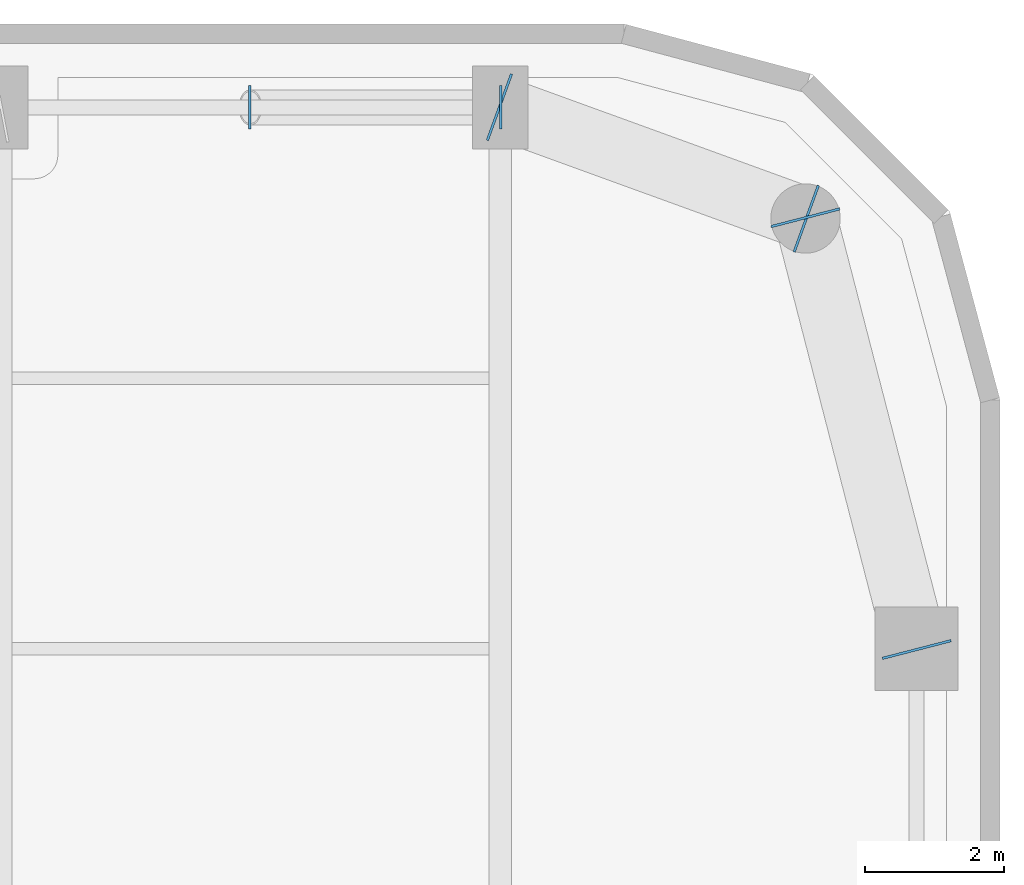
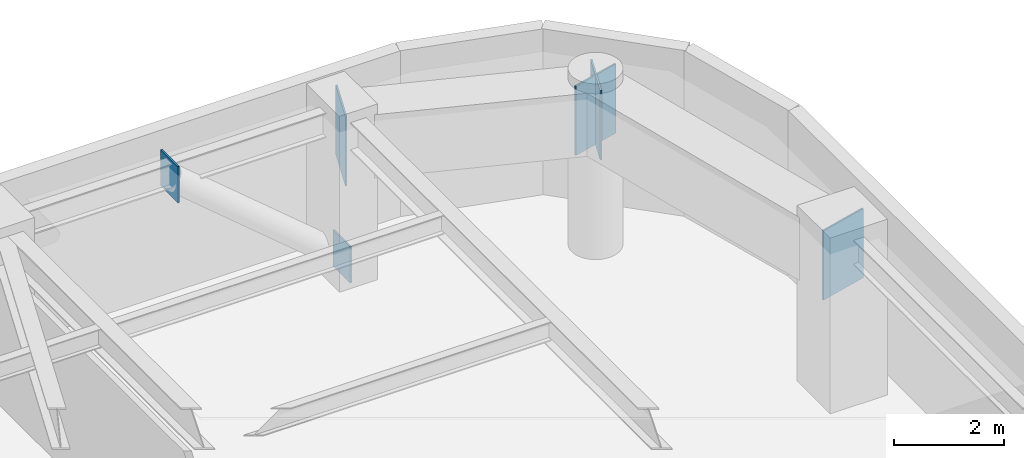
# One storey, part 23 of 30: 6 plates.
"""IFC4 building model written with IfcOpenShell, lengths in metres."""

from ifc_helpers import new_model, si_unit, direction, frame, origin, origin_2d, place, context, subcontext, project, spatial, rectangle, extrude, material, layer, layer_set, type_object, element, save


model = new_model("IFC4")

# Units and contexts
model_context = context("Model", 3, precision=1e-05, world=origin(), true_north=direction((0.0, 1.0)))
body_context = subcontext(model_context, "Body", "Model", "MODEL_VIEW")
ifc_project = project(units=[si_unit("LENGTHUNIT", "METRE"), si_unit("AREAUNIT", "SQUARE_METRE"), si_unit("VOLUMEUNIT", "CUBIC_METRE"), si_unit("PLANEANGLEUNIT", "RADIAN"), si_unit("MASSUNIT", "GRAM", prefix="KILO")], contexts=[model_context])

# Site, building, storey
site_placement = place(None, origin())
site = spatial("IfcSite", under=ifc_project, at=site_placement, CompositionType="ELEMENT")
building_placement = place(site_placement, origin())
building = spatial("IfcBuilding", under=site, at=building_placement, Name="Kiyonajd Concourse Tower", CompositionType="ELEMENT")
storey_placement = place(building_placement, frame((0.0, 0.0, 166.199951171875)))
storey = spatial("IfcBuildingStorey", under=building, at=storey_placement, Name="L42", CompositionType="ELEMENT", Elevation=166.199951171875)

# Plates
ifc_material = material(Name="Steel ASTM A572 Grade 50", Category="steel")
ifc_layer_1 = layer(ifc_material, 0.028076171875)
ifc_layer_set_1 = layer_set([ifc_layer_1], Name="Steel ASTM A572 Grade 50")
plate_type_1 = type_object("IfcPlateType", Name="PL-CAP-450", PredefinedType="USERDEFINED", material=ifc_layer_set_1)
for number, where, z_axis, x_axis, name in (
    (1, (63.6083984375, 61.199951171875, -0.10888671875), (0.0, 0.0, 1.0), (1.0, 0.0, 0.0), "L42 Hollow Brace End Cap Plate PBN"),
    (2, (59.99169921875, 61.199951171875, 2.93505859375), (0.0, 0.0, 1.0), (-1.0, 0.0, 0.0), "L42 Hollow Brace Top Cap Plate PBN"),
):
    element("IfcPlate", number, at=place(storey_placement, frame(where, z_axis=z_axis, x_axis=x_axis)), inside=storey, type_object=plate_type_1, Name=name, ObjectType="CAP PLATE", PredefinedType="USERDEFINED", context=body_context, shape_type="SweptSolid", body=[
        extrude(rectangle(XDim=0.035888671875, YDim=0.6279296875, at=origin_2d()), origin(), (0.0, 0.0, 1.0), 0.803955078125),
    ])
ifc_layer_2 = layer(ifc_material, 0.031982421875)
ifc_layer_set_2 = layer_set([ifc_layer_2], Name="Steel ASTM A572 Grade 50")
plate_type_2 = type_object("IfcPlateType", Name="PL-CAP-540", PredefinedType="USERDEFINED", material=ifc_layer_set_2)
for number, where, z_axis, x_axis, name in (
    (3, (69.602783203125, 53.389404296875, 2.2099609375), (0.0, 0.0, 1.0), (0.249873048837, -0.968278606324, 0.0), "L42 Welded Box Girder End Cap"),
    (4, (67.997314453125, 59.610595703125, 2.2099609375), (0.0, 0.0, 1.0), (-0.249873048837, 0.968278606324, 0.0), "L42 Welded Box Girder End Cap"),
    (5, (68.01025390625, 59.59619140625, 2.2099609375), (0.0, 0.0, 1.0), (0.939811951086, -0.341692107891, 0.0), "L42 Welded Box Girder End Cap"),
    (6, (63.589599609375, 61.203857421875, 2.2099609375), (0.0, 0.0, 1.0), (-0.939811951086, 0.341692107891, 0.0), "L42 Welded Box Girder End Cap"),
):
    element("IfcPlate", number, at=place(storey_placement, frame(where, z_axis=z_axis, x_axis=x_axis)), inside=storey, type_object=plate_type_2, Name=name, ObjectType="CAP PLATE", PredefinedType="USERDEFINED", context=body_context, shape_type="SweptSolid", body=[
        extrude(rectangle(XDim=0.035888671875, YDim=1.02001953125, at=origin_2d()), origin(), (0.0, 0.0, 1.0), 1.5400390625),
    ])

save(model, "model.ifc")
